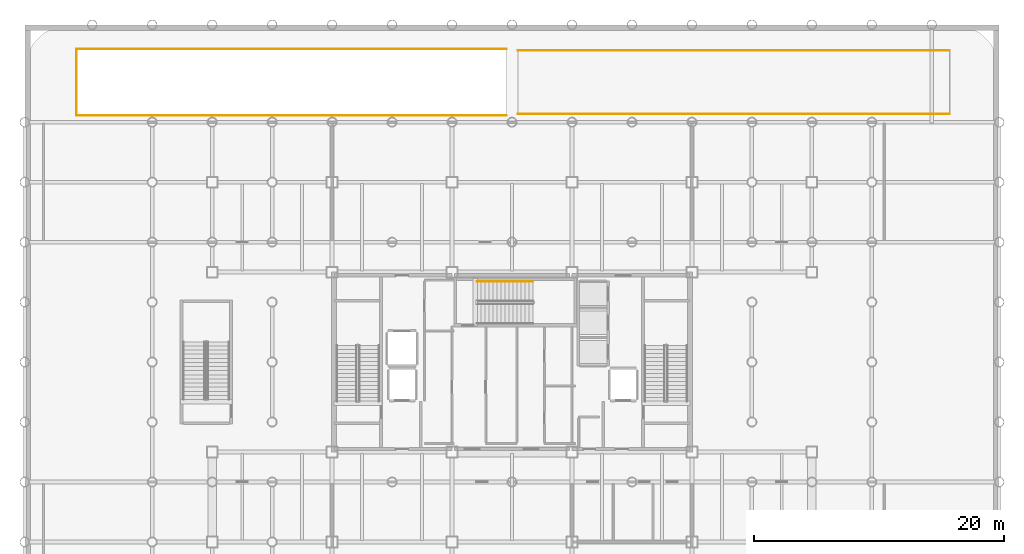
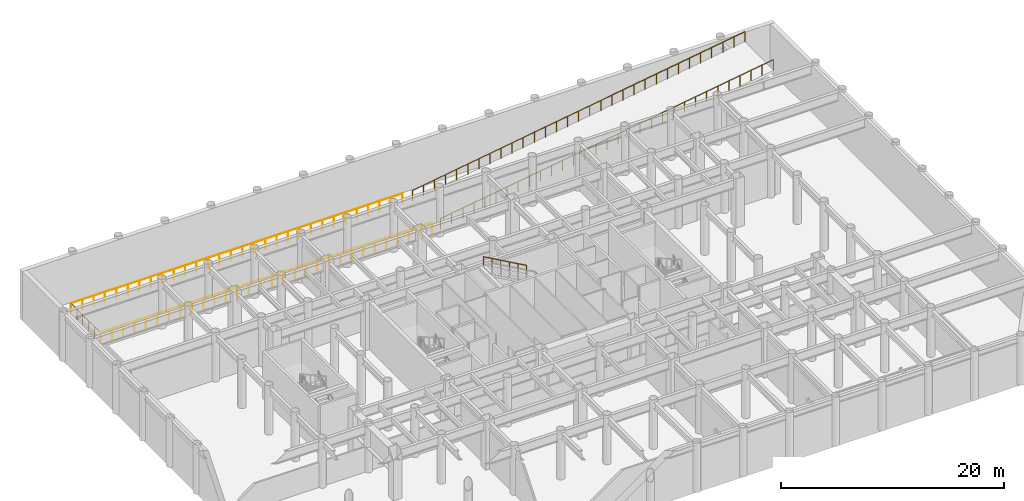
# One storey, part 15 of 16: 6 railings.
"""IFC4 building model written with IfcOpenShell, lengths in metres."""

from ifc_helpers import new_model, si_unit, direction, frame, origin, origin_2d, place, context, subcontext, project, spatial, circle, extrude, material, layer, layer_set, type_object, element, save


model = new_model("IFC4")

# Units and contexts
model_context = context("Model", 3, precision=1e-05, world=origin(), true_north=direction((0.0, 1.0)))
body_context = subcontext(model_context, "Body", "Model", "MODEL_VIEW")
ifc_project = project(units=[si_unit("LENGTHUNIT", "METRE"), si_unit("AREAUNIT", "SQUARE_METRE"), si_unit("VOLUMEUNIT", "CUBIC_METRE"), si_unit("PLANEANGLEUNIT", "RADIAN"), si_unit("MASSUNIT", "GRAM", prefix="KILO")], contexts=[model_context])

# Site, building, storey
site_placement = place(None, origin())
site = spatial("IfcSite", under=ifc_project, at=site_placement, CompositionType="ELEMENT")
building_placement = place(site_placement, origin())
building = spatial("IfcBuilding", under=site, at=building_placement, Name="Kallvorn Hotel Tower", CompositionType="ELEMENT")
storey_placement = place(building_placement, frame((0.0, 0.0, -5.39990234375)))
storey = spatial("IfcBuildingStorey", under=building, at=storey_placement, Name="B1", CompositionType="ELEMENT", Elevation=-5.39990234375)

# Railings
ifc_material_1 = material(Name="Brushed stainless-steel tubular railing", Category="steel")
ifc_layer_1 = layer(ifc_material_1, 0.050048828125)
ifc_layer_set_1 = layer_set([ifc_layer_1], Name="RL_STAIR_HAND")
railing_type_1 = type_object("IfcRailingType", Name="RL_STAIR_HAND", PredefinedType="HANDRAIL", material=ifc_layer_set_1)
railing_1_placement = place(storey_placement, frame((1.68994140625, 6.4599609375, 2.8798828125)))
element("IfcRailing", 1, at=railing_1_placement, inside=storey, type_object=railing_type_1, Name="B1 ST3 stair handrail 2", PredefinedType="HANDRAIL", context=body_context, shape_type="SweptSolid", body=[
    extrude(circle(Radius=0.02392578125, at=origin_2d()), frame((0.0, 0.0, 0.8759765625), z_axis=(-0.871573000172, 0.0, 0.490265749743), x_axis=(0.0, -1.0, 0.0)), (0.0, 0.0, 1.0), 5.14013671875),
    extrude(circle(Radius=0.02099609375, at=origin_2d()), origin(), (0.0, 0.0, 1.0), 0.851806640625),
    extrude(circle(Radius=0.02099609375, at=origin_2d()), frame((-0.89599609375, 0.0, 0.50390625)), (0.0, 0.0, 1.0), 0.851806640625),
    extrude(circle(Radius=0.02099609375, at=origin_2d()), frame((-1.7919921875, 0.0, 1.008056640625)), (0.0, 0.0, 1.0), 0.851806640625),
    extrude(circle(Radius=0.02099609375, at=origin_2d()), frame((-2.68798828125, 0.0, 1.511962890625)), (0.0, 0.0, 1.0), 0.851806640625),
    extrude(circle(Radius=0.02099609375, at=origin_2d()), frame((-3.583984375, 0.0, 2.01611328125)), (0.0, 0.0, 1.0), 0.851806640625),
    extrude(circle(Radius=0.02099609375, at=origin_2d()), frame((-4.47998046875, 0.0, 2.52001953125)), (0.0, 0.0, 1.0), 0.851806640625),
])
ifc_material_2 = material(Name="Galvanised painted steel S275JR balustrade", Category="steel")
ifc_layer_2 = layer(ifc_material_2, 0.06005859375)
ifc_layer_set_2 = layer_set([ifc_layer_2], Name="RL_WIND_GUARD_1150")
railing_type_2 = type_object("IfcRailingType", Name="RL_WIND_GUARD_1150", PredefinedType="GUARDRAIL", material=ifc_layer_set_2)
railing_2_placement = place(storey_placement, frame((-0.449951171875, 19.75, 0.0)))
element("IfcRailing", 2, at=railing_2_placement, inside=storey, type_object=railing_type_2, Name="B1 Exterior Safety Guardrail RAMP-OPEN-B1-01", PredefinedType="GUARDRAIL", context=body_context, shape_type="SweptSolid", body=[
    extrude(circle(Radius=0.02392578125, at=origin_2d()), frame((0.0, 0.0, 1.1259765625), z_axis=(-1.0, 0.0, 0.0), x_axis=(0.0, -1.0, 0.0)), (0.0, 0.0, 1.0), 34.400146484375),
    extrude(circle(Radius=0.02099609375, at=origin_2d()), origin(), (0.0, 0.0, 1.0), 1.101806640625),
    extrude(circle(Radius=0.02099609375, at=origin_2d()), frame((-1.186279296875, 0.0, 0.0)), (0.0, 0.0, 1.0), 1.101806640625),
    extrude(circle(Radius=0.02099609375, at=origin_2d()), frame((-2.372314453125, 0.0, 0.0)), (0.0, 0.0, 1.0), 1.101806640625),
    extrude(circle(Radius=0.02099609375, at=origin_2d()), frame((-3.55859375, 0.0, 0.0)), (0.0, 0.0, 1.0), 1.101806640625),
    extrude(circle(Radius=0.02099609375, at=origin_2d()), frame((-4.744873046875, 0.0, 0.0)), (0.0, 0.0, 1.0), 1.101806640625),
    extrude(circle(Radius=0.02099609375, at=origin_2d()), frame((-5.93115234375, 0.0, 0.0)), (0.0, 0.0, 1.0), 1.101806640625),
    extrude(circle(Radius=0.02099609375, at=origin_2d()), frame((-7.1171875, 0.0, 0.0)), (0.0, 0.0, 1.0), 1.101806640625),
    extrude(circle(Radius=0.02099609375, at=origin_2d()), frame((-8.303466796875, 0.0, 0.0)), (0.0, 0.0, 1.0), 1.101806640625),
    extrude(circle(Radius=0.02099609375, at=origin_2d()), frame((-9.48974609375, 0.0, 0.0)), (0.0, 0.0, 1.0), 1.101806640625),
    extrude(circle(Radius=0.02099609375, at=origin_2d()), frame((-10.676025390625, 0.0, 0.0)), (0.0, 0.0, 1.0), 1.101806640625),
    extrude(circle(Radius=0.02099609375, at=origin_2d()), frame((-11.862060546875, 0.0, 0.0)), (0.0, 0.0, 1.0), 1.101806640625),
    extrude(circle(Radius=0.02099609375, at=origin_2d()), frame((-13.04833984375, 0.0, 0.0)), (0.0, 0.0, 1.0), 1.101806640625),
    extrude(circle(Radius=0.02099609375, at=origin_2d()), frame((-14.234619140625, 0.0, 0.0)), (0.0, 0.0, 1.0), 1.101806640625),
    extrude(circle(Radius=0.02099609375, at=origin_2d()), frame((-15.420654296875, 0.0, 0.0)), (0.0, 0.0, 1.0), 1.101806640625),
    extrude(circle(Radius=0.02099609375, at=origin_2d()), frame((-16.60693359375, 0.0, 0.0)), (0.0, 0.0, 1.0), 1.101806640625),
    extrude(circle(Radius=0.02099609375, at=origin_2d()), frame((-17.793212890625, 0.0, 0.0)), (0.0, 0.0, 1.0), 1.101806640625),
    extrude(circle(Radius=0.02099609375, at=origin_2d()), frame((-18.9794921875, 0.0, 0.0)), (0.0, 0.0, 1.0), 1.101806640625),
    extrude(circle(Radius=0.02099609375, at=origin_2d()), frame((-20.16552734375, 0.0, 0.0)), (0.0, 0.0, 1.0), 1.101806640625),
    extrude(circle(Radius=0.02099609375, at=origin_2d()), frame((-21.351806640625, 0.0, 0.0)), (0.0, 0.0, 1.0), 1.101806640625),
    extrude(circle(Radius=0.02099609375, at=origin_2d()), frame((-22.5380859375, 0.0, 0.0)), (0.0, 0.0, 1.0), 1.101806640625),
    extrude(circle(Radius=0.02099609375, at=origin_2d()), frame((-23.72412109375, 0.0, 0.0)), (0.0, 0.0, 1.0), 1.101806640625),
    extrude(circle(Radius=0.02099609375, at=origin_2d()), frame((-24.910400390625, 0.0, 0.0)), (0.0, 0.0, 1.0), 1.101806640625),
    extrude(circle(Radius=0.02099609375, at=origin_2d()), frame((-26.0966796875, 0.0, 0.0)), (0.0, 0.0, 1.0), 1.101806640625),
    extrude(circle(Radius=0.02099609375, at=origin_2d()), frame((-27.282958984375, 0.0, 0.0)), (0.0, 0.0, 1.0), 1.101806640625),
    extrude(circle(Radius=0.02099609375, at=origin_2d()), frame((-28.468994140625, 0.0, 0.0)), (0.0, 0.0, 1.0), 1.101806640625),
    extrude(circle(Radius=0.02099609375, at=origin_2d()), frame((-29.6552734375, 0.0, 0.0)), (0.0, 0.0, 1.0), 1.101806640625),
    extrude(circle(Radius=0.02099609375, at=origin_2d()), frame((-30.841552734375, 0.0, 0.0)), (0.0, 0.0, 1.0), 1.101806640625),
    extrude(circle(Radius=0.02099609375, at=origin_2d()), frame((-32.02783203125, 0.0, 0.0)), (0.0, 0.0, 1.0), 1.101806640625),
    extrude(circle(Radius=0.02099609375, at=origin_2d()), frame((-33.2138671875, 0.0, 0.0)), (0.0, 0.0, 1.0), 1.101806640625),
    extrude(circle(Radius=0.02099609375, at=origin_2d()), frame((-34.400146484375, 0.0, 0.0)), (0.0, 0.0, 1.0), 1.101806640625),
])
railing_3_placement = place(storey_placement, frame((-34.85009765625, 19.75, 0.0)))
element("IfcRailing", 3, at=railing_3_placement, inside=storey, type_object=railing_type_2, Name="B1 Exterior Safety Guardrail RAMP-OPEN-B1-02", PredefinedType="GUARDRAIL", context=body_context, shape_type="SweptSolid", body=[
    extrude(circle(Radius=0.02392578125, at=origin_2d()), frame((0.0, 0.0, 1.1259765625), z_axis=(0.0, 1.0, 0.0), x_axis=(-1.0, 0.0, 0.0)), (0.0, 0.0, 1.0), 5.300048828125),
    extrude(circle(Radius=0.02099609375, at=origin_2d()), origin(), (0.0, 0.0, 1.0), 1.101806640625),
    extrude(circle(Radius=0.02099609375, at=origin_2d()), frame((0.0, 1.06005859375, 0.0)), (0.0, 0.0, 1.0), 1.101806640625),
    extrude(circle(Radius=0.02099609375, at=origin_2d()), frame((0.0, 2.1201171875, 0.0)), (0.0, 0.0, 1.0), 1.101806640625),
    extrude(circle(Radius=0.02099609375, at=origin_2d()), frame((0.0, 3.179931640625, 0.0)), (0.0, 0.0, 1.0), 1.101806640625),
    extrude(circle(Radius=0.02099609375, at=origin_2d()), frame((0.0, 4.239990234375, 0.0)), (0.0, 0.0, 1.0), 1.101806640625),
    extrude(circle(Radius=0.02099609375, at=origin_2d()), frame((0.0, 5.300048828125, 0.0)), (0.0, 0.0, 1.0), 1.101806640625),
])
railing_4_placement = place(storey_placement, frame((-34.85009765625, 25.050048828125, 0.0)))
element("IfcRailing", 4, at=railing_4_placement, inside=storey, type_object=railing_type_2, Name="B1 Exterior Safety Guardrail RAMP-OPEN-B1-03", PredefinedType="GUARDRAIL", context=body_context, shape_type="SweptSolid", body=[
    extrude(circle(Radius=0.02392578125, at=origin_2d()), frame((0.0, 0.0, 1.1259765625), z_axis=(1.0, 0.0, 0.0), x_axis=(0.0, 1.0, 0.0)), (0.0, 0.0, 1.0), 34.400146484375),
    extrude(circle(Radius=0.02099609375, at=origin_2d()), origin(), (0.0, 0.0, 1.0), 1.101806640625),
    extrude(circle(Radius=0.02099609375, at=origin_2d()), frame((1.186279296875, 0.0, 0.0)), (0.0, 0.0, 1.0), 1.101806640625),
    extrude(circle(Radius=0.02099609375, at=origin_2d()), frame((2.372314453125, 0.0, 0.0)), (0.0, 0.0, 1.0), 1.101806640625),
    extrude(circle(Radius=0.02099609375, at=origin_2d()), frame((3.55859375, 0.0, 0.0)), (0.0, 0.0, 1.0), 1.101806640625),
    extrude(circle(Radius=0.02099609375, at=origin_2d()), frame((4.744873046875, 0.0, 0.0)), (0.0, 0.0, 1.0), 1.101806640625),
    extrude(circle(Radius=0.02099609375, at=origin_2d()), frame((5.93115234375, 0.0, 0.0)), (0.0, 0.0, 1.0), 1.101806640625),
    extrude(circle(Radius=0.02099609375, at=origin_2d()), frame((7.1171875, 0.0, 0.0)), (0.0, 0.0, 1.0), 1.101806640625),
    extrude(circle(Radius=0.02099609375, at=origin_2d()), frame((8.303466796875, 0.0, 0.0)), (0.0, 0.0, 1.0), 1.101806640625),
    extrude(circle(Radius=0.02099609375, at=origin_2d()), frame((9.48974609375, 0.0, 0.0)), (0.0, 0.0, 1.0), 1.101806640625),
    extrude(circle(Radius=0.02099609375, at=origin_2d()), frame((10.676025390625, 0.0, 0.0)), (0.0, 0.0, 1.0), 1.101806640625),
    extrude(circle(Radius=0.02099609375, at=origin_2d()), frame((11.862060546875, 0.0, 0.0)), (0.0, 0.0, 1.0), 1.101806640625),
    extrude(circle(Radius=0.02099609375, at=origin_2d()), frame((13.04833984375, 0.0, 0.0)), (0.0, 0.0, 1.0), 1.101806640625),
    extrude(circle(Radius=0.02099609375, at=origin_2d()), frame((14.234619140625, 0.0, 0.0)), (0.0, 0.0, 1.0), 1.101806640625),
    extrude(circle(Radius=0.02099609375, at=origin_2d()), frame((15.420654296875, 0.0, 0.0)), (0.0, 0.0, 1.0), 1.101806640625),
    extrude(circle(Radius=0.02099609375, at=origin_2d()), frame((16.60693359375, 0.0, 0.0)), (0.0, 0.0, 1.0), 1.101806640625),
    extrude(circle(Radius=0.02099609375, at=origin_2d()), frame((17.793212890625, 0.0, 0.0)), (0.0, 0.0, 1.0), 1.101806640625),
    extrude(circle(Radius=0.02099609375, at=origin_2d()), frame((18.9794921875, 0.0, 0.0)), (0.0, 0.0, 1.0), 1.101806640625),
    extrude(circle(Radius=0.02099609375, at=origin_2d()), frame((20.16552734375, 0.0, 0.0)), (0.0, 0.0, 1.0), 1.101806640625),
    extrude(circle(Radius=0.02099609375, at=origin_2d()), frame((21.351806640625, 0.0, 0.0)), (0.0, 0.0, 1.0), 1.101806640625),
    extrude(circle(Radius=0.02099609375, at=origin_2d()), frame((22.5380859375, 0.0, 0.0)), (0.0, 0.0, 1.0), 1.101806640625),
    extrude(circle(Radius=0.02099609375, at=origin_2d()), frame((23.72412109375, 0.0, 0.0)), (0.0, 0.0, 1.0), 1.101806640625),
    extrude(circle(Radius=0.02099609375, at=origin_2d()), frame((24.910400390625, 0.0, 0.0)), (0.0, 0.0, 1.0), 1.101806640625),
    extrude(circle(Radius=0.02099609375, at=origin_2d()), frame((26.0966796875, 0.0, 0.0)), (0.0, 0.0, 1.0), 1.101806640625),
    extrude(circle(Radius=0.02099609375, at=origin_2d()), frame((27.282958984375, 0.0, 0.0)), (0.0, 0.0, 1.0), 1.101806640625),
    extrude(circle(Radius=0.02099609375, at=origin_2d()), frame((28.468994140625, 0.0, 0.0)), (0.0, 0.0, 1.0), 1.101806640625),
    extrude(circle(Radius=0.02099609375, at=origin_2d()), frame((29.6552734375, 0.0, 0.0)), (0.0, 0.0, 1.0), 1.101806640625),
    extrude(circle(Radius=0.02099609375, at=origin_2d()), frame((30.841552734375, 0.0, 0.0)), (0.0, 0.0, 1.0), 1.101806640625),
    extrude(circle(Radius=0.02099609375, at=origin_2d()), frame((32.02783203125, 0.0, 0.0)), (0.0, 0.0, 1.0), 1.101806640625),
    extrude(circle(Radius=0.02099609375, at=origin_2d()), frame((33.2138671875, 0.0, 0.0)), (0.0, 0.0, 1.0), 1.101806640625),
    extrude(circle(Radius=0.02099609375, at=origin_2d()), frame((34.400146484375, 0.0, 0.0)), (0.0, 0.0, 1.0), 1.101806640625),
])
railing_5_placement = place(storey_placement, frame((0.5, 19.860107421875, 0.0498046875)))
element("IfcRailing", 5, at=railing_5_placement, inside=storey, type_object=railing_type_2, Name="Vehicle Ramp Side Guardrail RAMP-B1L0-S", PredefinedType="GUARDRAIL", context=body_context, shape_type="SweptSolid", body=[
    extrude(circle(Radius=0.02392578125, at=origin_2d()), frame((0.0, 0.0, 1.1259765625), z_axis=(0.988188441014, 0.0, 0.153243613397), x_axis=(0.0, 1.0, 0.0)), (0.0, 0.0, 1.0), 34.912353515625),
    extrude(circle(Radius=0.02099609375, at=origin_2d()), origin(), (0.0, 0.0, 1.0), 1.101806640625),
    extrude(circle(Radius=0.02099609375, at=origin_2d()), frame((1.14990234375, 0.0, 0.17822265625)), (0.0, 0.0, 1.0), 1.101806640625),
    extrude(circle(Radius=0.02099609375, at=origin_2d()), frame((2.300048828125, 0.0, 0.356689453125)), (0.0, 0.0, 1.0), 1.101806640625),
    extrude(circle(Radius=0.02099609375, at=origin_2d()), frame((3.449951171875, 0.0, 0.534912109375)), (0.0, 0.0, 1.0), 1.101806640625),
    extrude(circle(Radius=0.02099609375, at=origin_2d()), frame((4.60009765625, 0.0, 0.71337890625)), (0.0, 0.0, 1.0), 1.101806640625),
    extrude(circle(Radius=0.02099609375, at=origin_2d()), frame((5.75, 0.0, 0.8916015625)), (0.0, 0.0, 1.0), 1.101806640625),
    extrude(circle(Radius=0.02099609375, at=origin_2d()), frame((6.89990234375, 0.0, 1.070068359375)), (0.0, 0.0, 1.0), 1.101806640625),
    extrude(circle(Radius=0.02099609375, at=origin_2d()), frame((8.050048828125, 0.0, 1.248291015625)), (0.0, 0.0, 1.0), 1.101806640625),
    extrude(circle(Radius=0.02099609375, at=origin_2d()), frame((9.199951171875, 0.0, 1.4267578125)), (0.0, 0.0, 1.0), 1.101806640625),
    extrude(circle(Radius=0.02099609375, at=origin_2d()), frame((10.35009765625, 0.0, 1.60498046875)), (0.0, 0.0, 1.0), 1.101806640625),
    extrude(circle(Radius=0.02099609375, at=origin_2d()), frame((11.5, 0.0, 1.783447265625)), (0.0, 0.0, 1.0), 1.101806640625),
    extrude(circle(Radius=0.02099609375, at=origin_2d()), frame((12.64990234375, 0.0, 1.961669921875)), (0.0, 0.0, 1.0), 1.101806640625),
    extrude(circle(Radius=0.02099609375, at=origin_2d()), frame((13.800048828125, 0.0, 2.14013671875)), (0.0, 0.0, 1.0), 1.101806640625),
    extrude(circle(Radius=0.02099609375, at=origin_2d()), frame((14.949951171875, 0.0, 2.318359375)), (0.0, 0.0, 1.0), 1.101806640625),
    extrude(circle(Radius=0.02099609375, at=origin_2d()), frame((16.10009765625, 0.0, 2.496826171875)), (0.0, 0.0, 1.0), 1.101806640625),
    extrude(circle(Radius=0.02099609375, at=origin_2d()), frame((17.25, 0.0, 2.675048828125)), (0.0, 0.0, 1.0), 1.101806640625),
    extrude(circle(Radius=0.02099609375, at=origin_2d()), frame((18.39990234375, 0.0, 2.853271484375)), (0.0, 0.0, 1.0), 1.101806640625),
    extrude(circle(Radius=0.02099609375, at=origin_2d()), frame((19.550048828125, 0.0, 3.03173828125)), (0.0, 0.0, 1.0), 1.101806640625),
    extrude(circle(Radius=0.02099609375, at=origin_2d()), frame((20.699951171875, 0.0, 3.2099609375)), (0.0, 0.0, 1.0), 1.101806640625),
    extrude(circle(Radius=0.02099609375, at=origin_2d()), frame((21.85009765625, 0.0, 3.388427734375)), (0.0, 0.0, 1.0), 1.101806640625),
    extrude(circle(Radius=0.02099609375, at=origin_2d()), frame((23.0, 0.0, 3.566650390625)), (0.0, 0.0, 1.0), 1.101806640625),
    extrude(circle(Radius=0.02099609375, at=origin_2d()), frame((24.14990234375, 0.0, 3.7451171875)), (0.0, 0.0, 1.0), 1.101806640625),
    extrude(circle(Radius=0.02099609375, at=origin_2d()), frame((25.300048828125, 0.0, 3.92333984375)), (0.0, 0.0, 1.0), 1.101806640625),
    extrude(circle(Radius=0.02099609375, at=origin_2d()), frame((26.449951171875, 0.0, 4.101806640625)), (0.0, 0.0, 1.0), 1.101806640625),
    extrude(circle(Radius=0.02099609375, at=origin_2d()), frame((27.60009765625, 0.0, 4.280029296875)), (0.0, 0.0, 1.0), 1.101806640625),
    extrude(circle(Radius=0.02099609375, at=origin_2d()), frame((28.75, 0.0, 4.45849609375)), (0.0, 0.0, 1.0), 1.101806640625),
    extrude(circle(Radius=0.02099609375, at=origin_2d()), frame((29.89990234375, 0.0, 4.63671875)), (0.0, 0.0, 1.0), 1.101806640625),
    extrude(circle(Radius=0.02099609375, at=origin_2d()), frame((31.050048828125, 0.0, 4.815185546875)), (0.0, 0.0, 1.0), 1.101806640625),
    extrude(circle(Radius=0.02099609375, at=origin_2d()), frame((32.199951171875, 0.0, 4.993408203125)), (0.0, 0.0, 1.0), 1.101806640625),
    extrude(circle(Radius=0.02099609375, at=origin_2d()), frame((33.35009765625, 0.0, 5.171875)), (0.0, 0.0, 1.0), 1.101806640625),
    extrude(circle(Radius=0.02099609375, at=origin_2d()), frame((34.5, 0.0, 5.35009765625)), (0.0, 0.0, 1.0), 1.101806640625),
])
railing_6_placement = place(storey_placement, frame((0.5, 24.93994140625, 0.0498046875)))
element("IfcRailing", 6, at=railing_6_placement, inside=storey, type_object=railing_type_2, Name="Vehicle Ramp Side Guardrail RAMP-B1L0-N", PredefinedType="GUARDRAIL", context=body_context, shape_type="SweptSolid", body=[
    extrude(circle(Radius=0.02392578125, at=origin_2d()), frame((0.0, 0.0, 1.1259765625), z_axis=(0.988188441014, 0.0, 0.153243613397), x_axis=(0.0, 1.0, 0.0)), (0.0, 0.0, 1.0), 34.912353515625),
    extrude(circle(Radius=0.02099609375, at=origin_2d()), origin(), (0.0, 0.0, 1.0), 1.101806640625),
    extrude(circle(Radius=0.02099609375, at=origin_2d()), frame((1.14990234375, 0.0, 0.17822265625)), (0.0, 0.0, 1.0), 1.101806640625),
    extrude(circle(Radius=0.02099609375, at=origin_2d()), frame((2.300048828125, 0.0, 0.356689453125)), (0.0, 0.0, 1.0), 1.101806640625),
    extrude(circle(Radius=0.02099609375, at=origin_2d()), frame((3.449951171875, 0.0, 0.534912109375)), (0.0, 0.0, 1.0), 1.101806640625),
    extrude(circle(Radius=0.02099609375, at=origin_2d()), frame((4.60009765625, 0.0, 0.71337890625)), (0.0, 0.0, 1.0), 1.101806640625),
    extrude(circle(Radius=0.02099609375, at=origin_2d()), frame((5.75, 0.0, 0.8916015625)), (0.0, 0.0, 1.0), 1.101806640625),
    extrude(circle(Radius=0.02099609375, at=origin_2d()), frame((6.89990234375, 0.0, 1.070068359375)), (0.0, 0.0, 1.0), 1.101806640625),
    extrude(circle(Radius=0.02099609375, at=origin_2d()), frame((8.050048828125, 0.0, 1.248291015625)), (0.0, 0.0, 1.0), 1.101806640625),
    extrude(circle(Radius=0.02099609375, at=origin_2d()), frame((9.199951171875, 0.0, 1.4267578125)), (0.0, 0.0, 1.0), 1.101806640625),
    extrude(circle(Radius=0.02099609375, at=origin_2d()), frame((10.35009765625, 0.0, 1.60498046875)), (0.0, 0.0, 1.0), 1.101806640625),
    extrude(circle(Radius=0.02099609375, at=origin_2d()), frame((11.5, 0.0, 1.783447265625)), (0.0, 0.0, 1.0), 1.101806640625),
    extrude(circle(Radius=0.02099609375, at=origin_2d()), frame((12.64990234375, 0.0, 1.961669921875)), (0.0, 0.0, 1.0), 1.101806640625),
    extrude(circle(Radius=0.02099609375, at=origin_2d()), frame((13.800048828125, 0.0, 2.14013671875)), (0.0, 0.0, 1.0), 1.101806640625),
    extrude(circle(Radius=0.02099609375, at=origin_2d()), frame((14.949951171875, 0.0, 2.318359375)), (0.0, 0.0, 1.0), 1.101806640625),
    extrude(circle(Radius=0.02099609375, at=origin_2d()), frame((16.10009765625, 0.0, 2.496826171875)), (0.0, 0.0, 1.0), 1.101806640625),
    extrude(circle(Radius=0.02099609375, at=origin_2d()), frame((17.25, 0.0, 2.675048828125)), (0.0, 0.0, 1.0), 1.101806640625),
    extrude(circle(Radius=0.02099609375, at=origin_2d()), frame((18.39990234375, 0.0, 2.853271484375)), (0.0, 0.0, 1.0), 1.101806640625),
    extrude(circle(Radius=0.02099609375, at=origin_2d()), frame((19.550048828125, 0.0, 3.03173828125)), (0.0, 0.0, 1.0), 1.101806640625),
    extrude(circle(Radius=0.02099609375, at=origin_2d()), frame((20.699951171875, 0.0, 3.2099609375)), (0.0, 0.0, 1.0), 1.101806640625),
    extrude(circle(Radius=0.02099609375, at=origin_2d()), frame((21.85009765625, 0.0, 3.388427734375)), (0.0, 0.0, 1.0), 1.101806640625),
    extrude(circle(Radius=0.02099609375, at=origin_2d()), frame((23.0, 0.0, 3.566650390625)), (0.0, 0.0, 1.0), 1.101806640625),
    extrude(circle(Radius=0.02099609375, at=origin_2d()), frame((24.14990234375, 0.0, 3.7451171875)), (0.0, 0.0, 1.0), 1.101806640625),
    extrude(circle(Radius=0.02099609375, at=origin_2d()), frame((25.300048828125, 0.0, 3.92333984375)), (0.0, 0.0, 1.0), 1.101806640625),
    extrude(circle(Radius=0.02099609375, at=origin_2d()), frame((26.449951171875, 0.0, 4.101806640625)), (0.0, 0.0, 1.0), 1.101806640625),
    extrude(circle(Radius=0.02099609375, at=origin_2d()), frame((27.60009765625, 0.0, 4.280029296875)), (0.0, 0.0, 1.0), 1.101806640625),
    extrude(circle(Radius=0.02099609375, at=origin_2d()), frame((28.75, 0.0, 4.45849609375)), (0.0, 0.0, 1.0), 1.101806640625),
    extrude(circle(Radius=0.02099609375, at=origin_2d()), frame((29.89990234375, 0.0, 4.63671875)), (0.0, 0.0, 1.0), 1.101806640625),
    extrude(circle(Radius=0.02099609375, at=origin_2d()), frame((31.050048828125, 0.0, 4.815185546875)), (0.0, 0.0, 1.0), 1.101806640625),
    extrude(circle(Radius=0.02099609375, at=origin_2d()), frame((32.199951171875, 0.0, 4.993408203125)), (0.0, 0.0, 1.0), 1.101806640625),
    extrude(circle(Radius=0.02099609375, at=origin_2d()), frame((33.35009765625, 0.0, 5.171875)), (0.0, 0.0, 1.0), 1.101806640625),
    extrude(circle(Radius=0.02099609375, at=origin_2d()), frame((34.5, 0.0, 5.35009765625)), (0.0, 0.0, 1.0), 1.101806640625),
])

save(model, "model.ifc")
